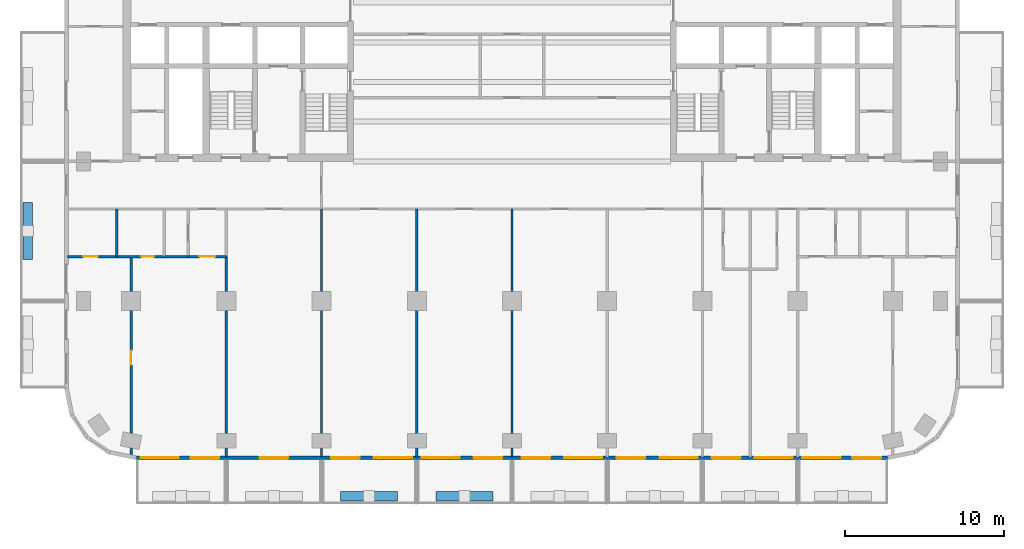
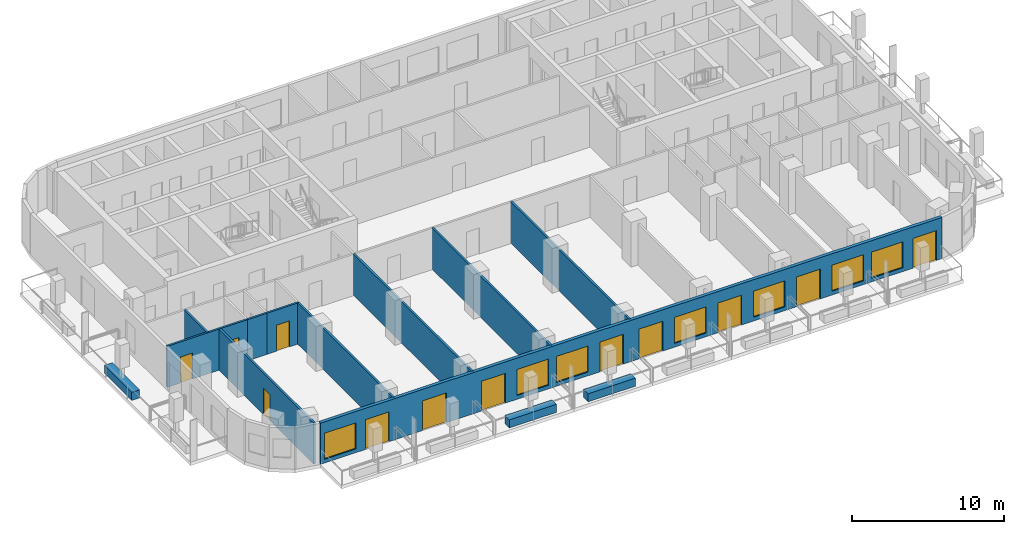
# One storey, part 2 of 12: 13 walls, 12 doors, 7 windows, 19 openings.
"""IFC4 building model written with IfcOpenShell, lengths in metres."""

from ifc_helpers import new_model, si_unit, direction, frame, frame_2d, origin, place, context, subcontext, project, spatial, rectangle, extrude, material, layer, layer_set, type_object, element, fill, save


model = new_model("IFC4")

# Units and contexts
model_context = context("Model", 3, precision=1e-05, world=origin(), true_north=direction((0.0, 1.0)))
body_context = subcontext(model_context, "Body", "Model", "MODEL_VIEW")
ifc_project = project(units=[si_unit("LENGTHUNIT", "METRE"), si_unit("AREAUNIT", "SQUARE_METRE"), si_unit("VOLUMEUNIT", "CUBIC_METRE"), si_unit("PLANEANGLEUNIT", "RADIAN"), si_unit("MASSUNIT", "GRAM", prefix="KILO")], contexts=[model_context])

# Site, building, storey
site_placement = place(None, origin())
site = spatial("IfcSite", under=ifc_project, at=site_placement, CompositionType="ELEMENT")
building_placement = place(site_placement, origin())
building = spatial("IfcBuilding", under=site, at=building_placement, Name="Torana Hotel and Residences", CompositionType="ELEMENT")
storey_placement = place(building_placement, frame((0.0, 0.0, 156.0)))
storey = spatial("IfcBuildingStorey", under=building, at=storey_placement, Name="L40", CompositionType="ELEMENT", Elevation=156.0)

# Wall, openings, doors, windows
ifc_material_1 = material(Name="Black aluminium composite panel", Category="aluminium")
ifc_layer_1 = layer(ifc_material_1, 0.00390625, Name="Cladding", Category="cladding")
ifc_material_2 = material(Name="Ventilated air cavity")
ifc_layer_2 = layer(ifc_material_2, 0.0400390625, Name="Ventilated cavity", Category="cavity")
ifc_material_3 = material(Name="Mineral wool insulation")
ifc_layer_3 = layer(ifc_material_3, 0.090087890625, Name="Insulation", Category="insulation")
ifc_material_4 = material(Name="Steel S280GD", Category="steel")
ifc_layer_4 = layer(ifc_material_4, 0.092041015625, Name="Steel stud frame", Category="structure")
ifc_material_5 = material(Name="Fire rated plasterboard")
ifc_layer_5 = layer(ifc_material_5, 0.011962890625, Name="Inner board", Category="finish")
ifc_layer_6 = layer(ifc_material_5, 0.011962890625, Name="Second board", Category="finish")
ifc_layer_set_1 = layer_set([ifc_layer_1, ifc_layer_2, ifc_layer_3, ifc_layer_4, ifc_layer_5, ifc_layer_6], Name="EW1 EXTERNAL WALL BLACK METAL CLAD 250")
wall_type_1 = type_object("IfcWallType", Name="EW1 EXTERNAL WALL BLACK METAL CLAD 250", PredefinedType="SOLIDWALL", material=ifc_layer_set_1)
wall_1_placement = place(storey_placement, frame((-23.67529296875, -33.675048828125, 0.0), z_axis=(0.0, 0.0, 1.0), x_axis=(1.0, 0.0, 0.0)))
wall_1 = element("IfcWall", 1, at=wall_1_placement, inside=storey, type_object=wall_type_1, Name="External wall L40 e0.14", PredefinedType="SOLIDWALL", context=body_context, shape_type="SweptSolid", body=[
    extrude(rectangle(XDim=47.3505859375, YDim=0.25, at=frame_2d((23.67529296875, 0.0))), origin(), (0.0, 0.0, 1.0), 3.320068359375),
])
opening_1_placement = place(wall_1_placement, frame((0.275390625, 0.0, 0.300048828125)))
opening_1 = element("IfcOpeningElement", 2, at=opening_1_placement, cuts=wall_1, Name="Opening W1", PredefinedType="OPENING", context=body_context, shape_type="SweptSolid", body=[
    extrude(rectangle(XDim=2.39990234375, YDim=2.10009765625, at=frame_2d((1.199951171875, 1.050048828125))), frame((0.0, 0.135009765625, 0.0), z_axis=(0.0, -1.0, 0.0), x_axis=(1.0, 0.0, 0.0)), (0.0, 0.0, 1.0), 0.27001953125),
])
opening_2_placement = place(wall_1_placement, frame((3.42529296875, 0.0, 0.0)))
opening_2 = element("IfcOpeningElement", 3, at=opening_2_placement, cuts=wall_1, Name="Opening L40-E01", PredefinedType="OPENING", context=body_context, shape_type="SweptSolid", body=[
    extrude(rectangle(XDim=1.800048828125, YDim=2.39990234375, at=frame_2d((0.89990234375, 1.199951171875))), frame((0.0, 0.135009765625, 0.0), z_axis=(0.0, -1.0, 0.0), x_axis=(1.0, 0.0, 0.0)), (0.0, 0.0, 1.0), 0.27001953125),
])
opening_3_placement = place(wall_1_placement, frame((7.775390625, 0.0, 0.0)))
opening_3 = element("IfcOpeningElement", 4, at=opening_3_placement, cuts=wall_1, Name="Opening L40-E02", PredefinedType="OPENING", context=body_context, shape_type="SweptSolid", body=[
    extrude(rectangle(XDim=1.800048828125, YDim=2.39990234375, at=frame_2d((0.89990234375, 1.199951171875))), frame((0.0, 0.135009765625, 0.0), z_axis=(0.0, -1.0, 0.0), x_axis=(1.0, 0.0, 0.0)), (0.0, 0.0, 1.0), 0.27001953125),
])
opening_4_placement = place(wall_1_placement, frame((12.275390625, 0.0, 0.0)))
opening_4 = element("IfcOpeningElement", 5, at=opening_4_placement, cuts=wall_1, Name="Opening L40-E03", PredefinedType="OPENING", context=body_context, shape_type="SweptSolid", body=[
    extrude(rectangle(XDim=1.800048828125, YDim=2.39990234375, at=frame_2d((0.89990234375, 1.199951171875))), frame((0.0, 0.135009765625, 0.0), z_axis=(0.0, -1.0, 0.0), x_axis=(1.0, 0.0, 0.0)), (0.0, 0.0, 1.0), 0.27001953125),
])
opening_5_placement = place(wall_1_placement, frame((14.975341796875, 0.0, 0.300048828125)))
opening_5 = element("IfcOpeningElement", 6, at=opening_5_placement, cuts=wall_1, Name="Opening W1", PredefinedType="OPENING", context=body_context, shape_type="SweptSolid", body=[
    extrude(rectangle(XDim=2.39990234375, YDim=2.10009765625, at=frame_2d((1.199951171875, 1.050048828125))), frame((0.0, 0.135009765625, 0.0), z_axis=(0.0, -1.0, 0.0), x_axis=(1.0, 0.0, 0.0)), (0.0, 0.0, 1.0), 0.27001953125),
])
opening_6_placement = place(wall_1_placement, frame((17.975341796875, 0.0, 0.300048828125)))
opening_6 = element("IfcOpeningElement", 7, at=opening_6_placement, cuts=wall_1, Name="Opening W1", PredefinedType="OPENING", context=body_context, shape_type="SweptSolid", body=[
    extrude(rectangle(XDim=2.39990234375, YDim=2.10009765625, at=frame_2d((1.199951171875, 1.050048828125))), frame((0.0, 0.135009765625, 0.0), z_axis=(0.0, -1.0, 0.0), x_axis=(1.0, 0.0, 0.0)), (0.0, 0.0, 1.0), 0.27001953125),
])
opening_7_placement = place(wall_1_placement, frame((21.275390625, 0.0, 0.0)))
opening_7 = element("IfcOpeningElement", 8, at=opening_7_placement, cuts=wall_1, Name="Opening L40-E04", PredefinedType="OPENING", context=body_context, shape_type="SweptSolid", body=[
    extrude(rectangle(XDim=1.800048828125, YDim=2.39990234375, at=frame_2d((0.89990234375, 1.199951171875))), frame((0.0, 0.135009765625, 0.0), z_axis=(0.0, -1.0, 0.0), x_axis=(1.0, 0.0, 0.0)), (0.0, 0.0, 1.0), 0.27001953125),
])
opening_8_placement = place(wall_1_placement, frame((24.275390625, 0.0, 0.0)))
opening_8 = element("IfcOpeningElement", 9, at=opening_8_placement, cuts=wall_1, Name="Opening L40-E05", PredefinedType="OPENING", context=body_context, shape_type="SweptSolid", body=[
    extrude(rectangle(XDim=1.800048828125, YDim=2.39990234375, at=frame_2d((0.89990234375, 1.199951171875))), frame((0.0, 0.135009765625, 0.0), z_axis=(0.0, -1.0, 0.0), x_axis=(1.0, 0.0, 0.0)), (0.0, 0.0, 1.0), 0.27001953125),
])
opening_9_placement = place(wall_1_placement, frame((26.975341796875, 0.0, 0.300048828125)))
opening_9 = element("IfcOpeningElement", 10, at=opening_9_placement, cuts=wall_1, Name="Opening W1", PredefinedType="OPENING", context=body_context, shape_type="SweptSolid", body=[
    extrude(rectangle(XDim=2.39990234375, YDim=2.10009765625, at=frame_2d((1.199951171875, 1.050048828125))), frame((0.0, 0.135009765625, 0.0), z_axis=(0.0, -1.0, 0.0), x_axis=(1.0, 0.0, 0.0)), (0.0, 0.0, 1.0), 0.27001953125),
])
opening_10_placement = place(wall_1_placement, frame((30.275390625, 0.0, 0.0)))
opening_10 = element("IfcOpeningElement", 11, at=opening_10_placement, cuts=wall_1, Name="Opening L40-E06", PredefinedType="OPENING", context=body_context, shape_type="SweptSolid", body=[
    extrude(rectangle(XDim=1.800048828125, YDim=2.39990234375, at=frame_2d((0.89990234375, 1.199951171875))), frame((0.0, 0.135009765625, 0.0), z_axis=(0.0, -1.0, 0.0), x_axis=(1.0, 0.0, 0.0)), (0.0, 0.0, 1.0), 0.27001953125),
])
opening_11_placement = place(wall_1_placement, frame((32.975341796875, 0.0, 0.300048828125)))
opening_11 = element("IfcOpeningElement", 12, at=opening_11_placement, cuts=wall_1, Name="Opening W1", PredefinedType="OPENING", context=body_context, shape_type="SweptSolid", body=[
    extrude(rectangle(XDim=2.39990234375, YDim=2.10009765625, at=frame_2d((1.199951171875, 1.050048828125))), frame((0.0, 0.135009765625, 0.0), z_axis=(0.0, -1.0, 0.0), x_axis=(1.0, 0.0, 0.0)), (0.0, 0.0, 1.0), 0.27001953125),
])
opening_12_placement = place(wall_1_placement, frame((36.275390625, 0.0, 0.0)))
opening_12 = element("IfcOpeningElement", 13, at=opening_12_placement, cuts=wall_1, Name="Opening L40-E07", PredefinedType="OPENING", context=body_context, shape_type="SweptSolid", body=[
    extrude(rectangle(XDim=1.800048828125, YDim=2.39990234375, at=frame_2d((0.89990234375, 1.199951171875))), frame((0.0, 0.135009765625, 0.0), z_axis=(0.0, -1.0, 0.0), x_axis=(1.0, 0.0, 0.0)), (0.0, 0.0, 1.0), 0.27001953125),
])
opening_13_placement = place(wall_1_placement, frame((38.975341796875, 0.0, 0.300048828125)))
opening_13 = element("IfcOpeningElement", 14, at=opening_13_placement, cuts=wall_1, Name="Opening W1", PredefinedType="OPENING", context=body_context, shape_type="SweptSolid", body=[
    extrude(rectangle(XDim=2.39990234375, YDim=2.10009765625, at=frame_2d((1.199951171875, 1.050048828125))), frame((0.0, 0.135009765625, 0.0), z_axis=(0.0, -1.0, 0.0), x_axis=(1.0, 0.0, 0.0)), (0.0, 0.0, 1.0), 0.27001953125),
])
opening_14_placement = place(wall_1_placement, frame((41.975341796875, 0.0, 0.300048828125)))
opening_14 = element("IfcOpeningElement", 15, at=opening_14_placement, cuts=wall_1, Name="Opening W1", PredefinedType="OPENING", context=body_context, shape_type="SweptSolid", body=[
    extrude(rectangle(XDim=2.39990234375, YDim=2.10009765625, at=frame_2d((1.199951171875, 1.050048828125))), frame((0.0, 0.135009765625, 0.0), z_axis=(0.0, -1.0, 0.0), x_axis=(1.0, 0.0, 0.0)), (0.0, 0.0, 1.0), 0.27001953125),
])
opening_15_placement = place(wall_1_placement, frame((45.12548828125, 0.0, 0.0)))
opening_15 = element("IfcOpeningElement", 16, at=opening_15_placement, cuts=wall_1, Name="Opening L40-E08", PredefinedType="OPENING", context=body_context, shape_type="SweptSolid", body=[
    extrude(rectangle(XDim=1.800048828125, YDim=2.39990234375, at=frame_2d((0.89990234375, 1.199951171875))), frame((0.0, 0.135009765625, 0.0), z_axis=(0.0, -1.0, 0.0), x_axis=(1.0, 0.0, 0.0)), (0.0, 0.0, 1.0), 0.27001953125),
])
ifc_material_6 = material(Name="Dark glass in black aluminium frame", Category="aluminium")
door_type_1 = type_object("IfcDoorType", Name="DB1 BALCONY DOOR 1800x2400", OperationType="DOUBLE_DOOR_SINGLE_SWING", PredefinedType="DOOR", material=ifc_material_6)
door_1_placement = place(opening_2_placement, frame((0.89990234375, 0.0, 0.0), z_axis=(0.0, 0.0, 1.0), x_axis=(-1.0, 0.0, 0.0)))
door_1 = element("IfcDoor", 17, at=door_1_placement, inside=storey, type_object=door_type_1, Name="Balcony door L40", OperationType="DOUBLE_DOOR_SINGLE_SWING", OverallHeight=2.39990234375, OverallWidth=1.800048828125, PredefinedType="DOOR", context=body_context, shape_type="SweptSolid", body=[
    extrude(rectangle(XDim=1.800048828125, YDim=2.39990234375, at=frame_2d((0.0, 1.199951171875))), frame((0.0, -0.02490234375, 0.0), z_axis=(0.0, 1.0, 0.0), x_axis=(-1.0, 0.0, 0.0)), (0.0, 0.0, 1.0), 0.050048828125),
])
fill(opening_2, door_1)
door_2_placement = place(opening_3_placement, origin())
door_2 = element("IfcDoor", 18, at=door_2_placement, inside=storey, type_object=door_type_1, Name="Balcony door L40", OperationType="DOUBLE_DOOR_SINGLE_SWING", OverallHeight=2.39990234375, OverallWidth=1.800048828125, PredefinedType="DOOR", context=body_context, shape_type="SweptSolid", body=[
    extrude(rectangle(XDim=1.800048828125, YDim=2.39990234375, at=frame_2d((0.89990234375, 1.199951171875))), frame((0.0, 0.02490234375, 0.0), z_axis=(0.0, -1.0, 0.0), x_axis=(1.0, 0.0, 0.0)), (0.0, 0.0, 1.0), 0.050048828125),
])
fill(opening_3, door_2)
door_3_placement = place(opening_4_placement, origin())
door_3 = element("IfcDoor", 19, at=door_3_placement, inside=storey, type_object=door_type_1, Name="Balcony door L40", OperationType="DOUBLE_DOOR_SINGLE_SWING", OverallHeight=2.39990234375, OverallWidth=1.800048828125, PredefinedType="DOOR", context=body_context, shape_type="SweptSolid", body=[
    extrude(rectangle(XDim=1.800048828125, YDim=2.39990234375, at=frame_2d((0.89990234375, 1.199951171875))), frame((0.0, 0.02490234375, 0.0), z_axis=(0.0, -1.0, 0.0), x_axis=(1.0, 0.0, 0.0)), (0.0, 0.0, 1.0), 0.050048828125),
])
fill(opening_4, door_3)
door_4_placement = place(opening_7_placement, origin())
door_4 = element("IfcDoor", 20, at=door_4_placement, inside=storey, type_object=door_type_1, Name="Balcony door L40", OperationType="DOUBLE_DOOR_SINGLE_SWING", OverallHeight=2.39990234375, OverallWidth=1.800048828125, PredefinedType="DOOR", context=body_context, shape_type="SweptSolid", body=[
    extrude(rectangle(XDim=1.800048828125, YDim=2.39990234375, at=frame_2d((0.89990234375, 1.199951171875))), frame((0.0, 0.02490234375, 0.0), z_axis=(0.0, -1.0, 0.0), x_axis=(1.0, 0.0, 0.0)), (0.0, 0.0, 1.0), 0.050048828125),
])
fill(opening_7, door_4)
door_5_placement = place(opening_8_placement, origin())
door_5 = element("IfcDoor", 21, at=door_5_placement, inside=storey, type_object=door_type_1, Name="Balcony door L40", OperationType="DOUBLE_DOOR_SINGLE_SWING", OverallHeight=2.39990234375, OverallWidth=1.800048828125, PredefinedType="DOOR", context=body_context, shape_type="SweptSolid", body=[
    extrude(rectangle(XDim=1.800048828125, YDim=2.39990234375, at=frame_2d((0.89990234375, 1.199951171875))), frame((0.0, 0.02490234375, 0.0), z_axis=(0.0, -1.0, 0.0), x_axis=(1.0, 0.0, 0.0)), (0.0, 0.0, 1.0), 0.050048828125),
])
fill(opening_8, door_5)
door_6_placement = place(opening_10_placement, origin())
door_6 = element("IfcDoor", 22, at=door_6_placement, inside=storey, type_object=door_type_1, Name="Balcony door L40", OperationType="DOUBLE_DOOR_SINGLE_SWING", OverallHeight=2.39990234375, OverallWidth=1.800048828125, PredefinedType="DOOR", context=body_context, shape_type="SweptSolid", body=[
    extrude(rectangle(XDim=1.800048828125, YDim=2.39990234375, at=frame_2d((0.89990234375, 1.199951171875))), frame((0.0, 0.02490234375, 0.0), z_axis=(0.0, -1.0, 0.0), x_axis=(1.0, 0.0, 0.0)), (0.0, 0.0, 1.0), 0.050048828125),
])
fill(opening_10, door_6)
door_7_placement = place(opening_12_placement, origin())
door_7 = element("IfcDoor", 23, at=door_7_placement, inside=storey, type_object=door_type_1, Name="Balcony door L40", OperationType="DOUBLE_DOOR_SINGLE_SWING", OverallHeight=2.39990234375, OverallWidth=1.800048828125, PredefinedType="DOOR", context=body_context, shape_type="SweptSolid", body=[
    extrude(rectangle(XDim=1.800048828125, YDim=2.39990234375, at=frame_2d((0.89990234375, 1.199951171875))), frame((0.0, 0.02490234375, 0.0), z_axis=(0.0, -1.0, 0.0), x_axis=(1.0, 0.0, 0.0)), (0.0, 0.0, 1.0), 0.050048828125),
])
fill(opening_12, door_7)
door_8_placement = place(opening_15_placement, origin())
door_8 = element("IfcDoor", 24, at=door_8_placement, inside=storey, type_object=door_type_1, Name="Balcony door L40", OperationType="DOUBLE_DOOR_SINGLE_SWING", OverallHeight=2.39990234375, OverallWidth=1.800048828125, PredefinedType="DOOR", context=body_context, shape_type="SweptSolid", body=[
    extrude(rectangle(XDim=1.800048828125, YDim=2.39990234375, at=frame_2d((0.89990234375, 1.199951171875))), frame((0.0, 0.02490234375, 0.0), z_axis=(0.0, -1.0, 0.0), x_axis=(1.0, 0.0, 0.0)), (0.0, 0.0, 1.0), 0.050048828125),
])
fill(opening_15, door_8)
ifc_material_7 = material(Name="Dark glass in black aluminium frame", Category="aluminium")
window_type = type_object("IfcWindowType", Name="W1 HOTEL ROOM WINDOW 2400x2100", PartitioningType="SINGLE_PANEL", PredefinedType="WINDOW", material=ifc_material_7)
window_1_placement = place(opening_1_placement, origin())
window_1 = element("IfcWindow", 25, at=window_1_placement, inside=storey, type_object=window_type, Name="Window L40", OverallHeight=2.10009765625, OverallWidth=2.39990234375, PartitioningType="SINGLE_PANEL", PredefinedType="WINDOW", context=body_context, shape_type="SweptSolid", body=[
    extrude(rectangle(XDim=2.39990234375, YDim=2.10009765625, at=frame_2d((1.199951171875, 1.050048828125))), frame((0.0, 0.030029296875, 0.0), z_axis=(0.0, -1.0, 0.0), x_axis=(1.0, 0.0, 0.0)), (0.0, 0.0, 1.0), 0.06005859375),
])
fill(opening_1, window_1)
window_2_placement = place(opening_5_placement, origin())
window_2 = element("IfcWindow", 26, at=window_2_placement, inside=storey, type_object=window_type, Name="Window L40", OverallHeight=2.10009765625, OverallWidth=2.39990234375, PartitioningType="SINGLE_PANEL", PredefinedType="WINDOW", context=body_context, shape_type="SweptSolid", body=[
    extrude(rectangle(XDim=2.39990234375, YDim=2.10009765625, at=frame_2d((1.199951171875, 1.050048828125))), frame((0.0, 0.030029296875, 0.0), z_axis=(0.0, -1.0, 0.0), x_axis=(1.0, 0.0, 0.0)), (0.0, 0.0, 1.0), 0.06005859375),
])
fill(opening_5, window_2)
window_3_placement = place(opening_6_placement, origin())
window_3 = element("IfcWindow", 27, at=window_3_placement, inside=storey, type_object=window_type, Name="Window L40", OverallHeight=2.10009765625, OverallWidth=2.39990234375, PartitioningType="SINGLE_PANEL", PredefinedType="WINDOW", context=body_context, shape_type="SweptSolid", body=[
    extrude(rectangle(XDim=2.39990234375, YDim=2.10009765625, at=frame_2d((1.199951171875, 1.050048828125))), frame((0.0, 0.030029296875, 0.0), z_axis=(0.0, -1.0, 0.0), x_axis=(1.0, 0.0, 0.0)), (0.0, 0.0, 1.0), 0.06005859375),
])
fill(opening_6, window_3)
window_4_placement = place(opening_9_placement, origin())
window_4 = element("IfcWindow", 28, at=window_4_placement, inside=storey, type_object=window_type, Name="Window L40", OverallHeight=2.10009765625, OverallWidth=2.39990234375, PartitioningType="SINGLE_PANEL", PredefinedType="WINDOW", context=body_context, shape_type="SweptSolid", body=[
    extrude(rectangle(XDim=2.39990234375, YDim=2.10009765625, at=frame_2d((1.199951171875, 1.050048828125))), frame((0.0, 0.030029296875, 0.0), z_axis=(0.0, -1.0, 0.0), x_axis=(1.0, 0.0, 0.0)), (0.0, 0.0, 1.0), 0.06005859375),
])
fill(opening_9, window_4)
window_5_placement = place(opening_11_placement, origin())
window_5 = element("IfcWindow", 29, at=window_5_placement, inside=storey, type_object=window_type, Name="Window L40", OverallHeight=2.10009765625, OverallWidth=2.39990234375, PartitioningType="SINGLE_PANEL", PredefinedType="WINDOW", context=body_context, shape_type="SweptSolid", body=[
    extrude(rectangle(XDim=2.39990234375, YDim=2.10009765625, at=frame_2d((1.199951171875, 1.050048828125))), frame((0.0, 0.030029296875, 0.0), z_axis=(0.0, -1.0, 0.0), x_axis=(1.0, 0.0, 0.0)), (0.0, 0.0, 1.0), 0.06005859375),
])
fill(opening_11, window_5)
window_6_placement = place(opening_13_placement, origin())
window_6 = element("IfcWindow", 30, at=window_6_placement, inside=storey, type_object=window_type, Name="Window L40", OverallHeight=2.10009765625, OverallWidth=2.39990234375, PartitioningType="SINGLE_PANEL", PredefinedType="WINDOW", context=body_context, shape_type="SweptSolid", body=[
    extrude(rectangle(XDim=2.39990234375, YDim=2.10009765625, at=frame_2d((1.199951171875, 1.050048828125))), frame((0.0, 0.030029296875, 0.0), z_axis=(0.0, -1.0, 0.0), x_axis=(1.0, 0.0, 0.0)), (0.0, 0.0, 1.0), 0.06005859375),
])
fill(opening_13, window_6)
window_7_placement = place(opening_14_placement, origin())
window_7 = element("IfcWindow", 31, at=window_7_placement, inside=storey, type_object=window_type, Name="Window L40", OverallHeight=2.10009765625, OverallWidth=2.39990234375, PartitioningType="SINGLE_PANEL", PredefinedType="WINDOW", context=body_context, shape_type="SweptSolid", body=[
    extrude(rectangle(XDim=2.39990234375, YDim=2.10009765625, at=frame_2d((1.199951171875, 1.050048828125))), frame((0.0, 0.030029296875, 0.0), z_axis=(0.0, -1.0, 0.0), x_axis=(1.0, 0.0, 0.0)), (0.0, 0.0, 1.0), 0.06005859375),
])
fill(opening_14, window_7)

# Wall, opening, door
ifc_material_8 = material(Name="Gypsum plaster")
ifc_layer_7 = layer(ifc_material_8, 0.014892578125, Name="Plaster", Category="finish")
ifc_material_9 = material(Name="Concrete blockwork", Category="masonry")
ifc_layer_8 = layer(ifc_material_9, 0.1201171875, Name="Blockwork", Category="structure")
ifc_layer_9 = layer(ifc_material_8, 0.014892578125, Name="Plaster", Category="finish")
ifc_layer_set_2 = layer_set([ifc_layer_7, ifc_layer_8, ifc_layer_9], Name="FIRE PARTITION 150 BLOCKWORK")
wall_type_2 = type_object("IfcWallType", Name="FIRE PARTITION 150 BLOCKWORK", PredefinedType="PARTITIONING", material=ifc_layer_set_2)
wall_2_placement = place(storey_placement, frame((-20.39990234375, -21.0, 0.0), z_axis=(0.0, 0.0, 1.0), x_axis=(1.0, 0.0, 0.0)))
wall_2 = element("IfcWall", 32, at=wall_2_placement, inside=storey, type_object=wall_type_2, Name="Partition L40", PredefinedType="PARTITIONING", context=body_context, shape_type="SweptSolid", body=[
    extrude(rectangle(XDim=2.39990234375, YDim=0.14990234375, at=frame_2d((1.199951171875, 0.0))), origin(), (0.0, 0.0, 1.0), 3.320068359375),
])
opening_16_placement = place(wall_2_placement, frame((0.699951171875, 0.0, 0.0)))
opening_16 = element("IfcOpeningElement", 33, at=opening_16_placement, cuts=wall_2, Name="Opening L40-57", PredefinedType="OPENING", context=body_context, shape_type="SweptSolid", body=[
    extrude(rectangle(XDim=1.0, YDim=2.10009765625, at=frame_2d((0.5, 1.050048828125))), frame((0.0, 0.0849609375, 0.0), z_axis=(0.0, -1.0, 0.0), x_axis=(1.0, 0.0, 0.0)), (0.0, 0.0, 1.0), 0.169921875),
])
ifc_material_10 = material(Name="Steel S235", Category="steel")
door_type_2 = type_object("IfcDoorType", Name="ENTRY FIRE DOOR D6 1000x2100", OperationType="SINGLE_SWING_LEFT", PredefinedType="DOOR", material=ifc_material_10)
door_9_placement = place(opening_16_placement, frame((0.5, 0.0, 0.0), z_axis=(0.0, 0.0, 1.0), x_axis=(-1.0, 0.0, 0.0)))
door_9 = element("IfcDoor", 34, at=door_9_placement, inside=storey, type_object=door_type_2, Name="Door L40", OperationType="SINGLE_SWING_RIGHT", OverallHeight=2.10009765625, OverallWidth=1.0, PredefinedType="DOOR", context=body_context, shape_type="SweptSolid", body=[
    extrude(rectangle(XDim=1.0, YDim=2.10009765625, at=frame_2d((0.0, 1.050048828125))), frame((0.0, -0.02490234375, 0.0), z_axis=(0.0, 1.0, 0.0), x_axis=(-1.0, 0.0, 0.0)), (0.0, 0.0, 1.0), 0.050048828125),
])
fill(opening_16, door_9)

# Walls
ifc_material_11 = material(Name="Gypsum plasterboard")
ifc_layer_10 = layer(ifc_material_11, 0.012451171875, Name="Plasterboard", Category="finish")
ifc_layer_11 = layer(ifc_material_11, 0.012451171875, Name="Plasterboard", Category="finish")
ifc_layer_12 = layer(ifc_material_4, 0.10009765625, Name="Steel studs with mineral wool", Category="insulation")
ifc_layer_13 = layer(ifc_material_11, 0.012451171875, Name="Plasterboard", Category="finish")
ifc_layer_14 = layer(ifc_material_11, 0.012451171875, Name="Plasterboard", Category="finish")
ifc_layer_set_3 = layer_set([ifc_layer_10, ifc_layer_11, ifc_layer_12, ifc_layer_13, ifc_layer_14], Name="PARTITION 150 PLASTERBOARD")
wall_type_3 = type_object("IfcWallType", Name="PARTITION 150 PLASTERBOARD", PredefinedType="PARTITIONING", material=ifc_layer_set_3)
for number, where, z_axis, x_axis, name in (
    (35, (0.0, -33.6201171875, 0.0), (0.0, 0.0, 1.0), (0.0, 1.0, 0.0), "Partition L40"),
    (36, (-6.0, -33.6201171875, 0.0), (0.0, 0.0, 1.0), (0.0, 1.0, 0.0), "Partition L40"),
    (37, (-12.0, -33.6201171875, 0.0), (0.0, 0.0, 1.0), (0.0, 1.0, 0.0), "Partition L40"),
):
    element("IfcWall", number, at=place(storey_placement, frame(where, z_axis=z_axis, x_axis=x_axis)), inside=storey, type_object=wall_type_3, Name=name, PredefinedType="PARTITIONING", context=body_context, shape_type="SweptSolid", body=[
        extrude(rectangle(XDim=15.6201171875, YDim=0.14990234375, at=frame_2d((7.81005859375, 0.0))), origin(), (0.0, 0.0, 1.0), 3.320068359375),
    ])
wall_3_placement = place(storey_placement, frame((-18.0, -33.6201171875, 0.0), z_axis=(0.0, 0.0, 1.0), x_axis=(0.0, 1.0, 0.0)))
element("IfcWall", 38, at=wall_3_placement, inside=storey, type_object=wall_type_3, Name="Partition L40", PredefinedType="PARTITIONING", context=body_context, shape_type="SweptSolid", body=[
    extrude(rectangle(XDim=12.6201171875, YDim=0.14990234375, at=frame_2d((6.31005859375, 0.0))), origin(), (0.0, 0.0, 1.0), 3.320068359375),
])

# Wall, opening, door
wall_4_placement = place(storey_placement, frame((-24.0, -33.556884765625, 0.0), z_axis=(0.0, 0.0, 1.0), x_axis=(0.0, 1.0, 0.0)))
wall_4 = element("IfcWall", 39, at=wall_4_placement, inside=storey, type_object=wall_type_3, Name="Partition L40", PredefinedType="PARTITIONING", context=body_context, shape_type="SweptSolid", body=[
    extrude(rectangle(XDim=12.556884765625, YDim=0.14990234375, at=frame_2d((6.2783203125, 0.0))), origin(), (0.0, 0.0, 1.0), 3.320068359375),
])
opening_17_placement = place(wall_4_placement, frame((5.73681640625, 0.0, 0.0)))
opening_17 = element("IfcOpeningElement", 40, at=opening_17_placement, cuts=wall_4, Name="Opening L40-60", PredefinedType="OPENING", context=body_context, shape_type="SweptSolid", body=[
    extrude(rectangle(XDim=0.89990234375, YDim=2.10009765625, at=frame_2d((0.449951171875, 1.050048828125))), frame((0.0, 0.0849609375, 0.0), z_axis=(0.0, -1.0, 0.0), x_axis=(1.0, 0.0, 0.0)), (0.0, 0.0, 1.0), 0.169921875),
])
ifc_material_12 = material(Name="Timber door, oiled ash", Category="wood")
door_type_3 = type_object("IfcDoorType", Name="ROOM DOOR D7 900x2100", OperationType="SINGLE_SWING_LEFT", PredefinedType="DOOR", material=ifc_material_12)
door_10_placement = place(opening_17_placement, origin())
door_10 = element("IfcDoor", 41, at=door_10_placement, inside=storey, type_object=door_type_3, Name="Door L40", OperationType="SINGLE_SWING_RIGHT", OverallHeight=2.10009765625, OverallWidth=0.89990234375, PredefinedType="DOOR", context=body_context, shape_type="SweptSolid", body=[
    extrude(rectangle(XDim=0.89990234375, YDim=2.10009765625, at=frame_2d((0.449951171875, 1.050048828125))), frame((0.0, 0.02490234375, 0.0), z_axis=(0.0, -1.0, 0.0), x_axis=(1.0, 0.0, 0.0)), (0.0, 0.0, 1.0), 0.050048828125),
])
fill(opening_17, door_10)

# Wall
wall_5_placement = place(storey_placement, frame((-24.89990234375, -21.0, 0.0), z_axis=(0.0, 0.0, 1.0), x_axis=(0.0, 1.0, 0.0)))
element("IfcWall", 42, at=wall_5_placement, inside=storey, type_object=wall_type_3, Name="Partition L40", PredefinedType="PARTITIONING", context=body_context, shape_type="SweptSolid", body=[
    extrude(rectangle(XDim=3.0, YDim=0.14990234375, at=frame_2d((1.5, 0.0))), origin(), (0.0, 0.0, 1.0), 3.320068359375),
])

# Wall, openings, doors
wall_6_placement = place(storey_placement, frame((-28.02001953125, -21.0, 0.0), z_axis=(0.0, 0.0, 1.0), x_axis=(1.0, 0.0, 0.0)))
wall_6 = element("IfcWall", 43, at=wall_6_placement, inside=storey, type_object=wall_type_3, Name="Partition L40", PredefinedType="PARTITIONING", context=body_context, shape_type="SweptSolid", body=[
    extrude(rectangle(XDim=6.1201171875, YDim=0.14990234375, at=frame_2d((3.06005859375, 0.0))), origin(), (0.0, 0.0, 1.0), 3.320068359375),
])
opening_18_placement = place(wall_6_placement, frame((4.669921875, 0.0, 0.0)))
opening_18 = element("IfcOpeningElement", 44, at=opening_18_placement, cuts=wall_6, Name="Opening L40-58", PredefinedType="OPENING", context=body_context, shape_type="SweptSolid", body=[
    extrude(rectangle(XDim=0.800048828125, YDim=2.10009765625, at=frame_2d((0.39990234375, 1.050048828125))), frame((0.0, 0.0849609375, 0.0), z_axis=(0.0, -1.0, 0.0), x_axis=(1.0, 0.0, 0.0)), (0.0, 0.0, 1.0), 0.169921875),
])
opening_19_placement = place(wall_6_placement, frame((1.02001953125, 0.0, 0.0)))
opening_19 = element("IfcOpeningElement", 45, at=opening_19_placement, cuts=wall_6, Name="Opening L40-59", PredefinedType="OPENING", context=body_context, shape_type="SweptSolid", body=[
    extrude(rectangle(XDim=0.89990234375, YDim=2.10009765625, at=frame_2d((0.449951171875, 1.050048828125))), frame((0.0, 0.0849609375, 0.0), z_axis=(0.0, -1.0, 0.0), x_axis=(1.0, 0.0, 0.0)), (0.0, 0.0, 1.0), 0.169921875),
])
ifc_material_13 = material(Name="Timber door, painted", Category="wood")
door_type_4 = type_object("IfcDoorType", Name="BATH DOOR D13 800x2100", OperationType="SINGLE_SWING_LEFT", PredefinedType="DOOR", material=ifc_material_13)
door_11_placement = place(opening_18_placement, origin())
door_11 = element("IfcDoor", 46, at=door_11_placement, inside=storey, type_object=door_type_4, Name="Door L40", OperationType="SINGLE_SWING_LEFT", OverallHeight=2.10009765625, OverallWidth=0.800048828125, PredefinedType="DOOR", context=body_context, shape_type="SweptSolid", body=[
    extrude(rectangle(XDim=0.800048828125, YDim=2.10009765625, at=frame_2d((0.39990234375, 1.050048828125))), frame((0.0, 0.02490234375, 0.0), z_axis=(0.0, -1.0, 0.0), x_axis=(1.0, 0.0, 0.0)), (0.0, 0.0, 1.0), 0.050048828125),
])
fill(opening_18, door_11)
door_12_placement = place(opening_19_placement, origin())
door_12 = element("IfcDoor", 47, at=door_12_placement, inside=storey, type_object=door_type_3, Name="Door L40", OperationType="SINGLE_SWING_RIGHT", OverallHeight=2.10009765625, OverallWidth=0.89990234375, PredefinedType="DOOR", context=body_context, shape_type="SweptSolid", body=[
    extrude(rectangle(XDim=0.89990234375, YDim=2.10009765625, at=frame_2d((0.449951171875, 1.050048828125))), frame((0.0, 0.02490234375, 0.0), z_axis=(0.0, -1.0, 0.0), x_axis=(1.0, 0.0, 0.0)), (0.0, 0.0, 1.0), 0.050048828125),
])
fill(opening_19, door_12)

# Walls
ifc_material_14 = material(Name="Concrete C40/50 precast", Category="concrete")
ifc_layer_15 = layer(ifc_material_14, 0.10009765625, Name="Planter shell", Category="structure")
ifc_material_15 = material(Name="Root resistant membrane")
ifc_layer_16 = layer(ifc_material_15, 0.00390625, Name="Waterproofing membrane", Category="membrane")
ifc_material_16 = material(Name="Drainage board with filter fleece")
ifc_layer_17 = layer(ifc_material_16, 0.02001953125, Name="Drainage board", Category="drainage")
ifc_material_17 = material(Name="Growing medium")
ifc_layer_18 = layer(ifc_material_17, 0.47607421875, Name="Planting substrate", Category="soil")
ifc_layer_set_4 = layer_set([ifc_layer_15, ifc_layer_16, ifc_layer_17, ifc_layer_18], Name="PL1 BALCONY PLANTER 600")
wall_type_4 = type_object("IfcWallType", Name="PL1 BALCONY PLANTER 600", PredefinedType="USERDEFINED", material=ifc_layer_set_4)
for number, where, z_axis, x_axis, name in (
    (48, (-7.199951171875, -36.10009765625, 0.0), (0.0, 0.0, 1.0), (-1.0, 0.0, 0.0), "Planter 03"),
    (49, (-1.199951171875, -36.10009765625, 0.0), (0.0, 0.0, 1.0), (-1.0, 0.0, 0.0), "Planter 04"),
):
    element("IfcWall", number, at=place(storey_placement, frame(where, z_axis=z_axis, x_axis=x_axis)), inside=storey, type_object=wall_type_4, Name=name, ObjectType="PLANTER", PredefinedType="USERDEFINED", context=body_context, shape_type="SweptSolid", body=[
        extrude(rectangle(XDim=3.60009765625, YDim=0.60009765625, at=frame_2d((1.800048828125, 0.0))), origin(), (0.0, 0.0, 1.0), 0.64990234375),
    ])
wall_7_placement = place(storey_placement, frame((-30.5, -21.199951171875, 0.0), z_axis=(0.0, 0.0, 1.0), x_axis=(0.0, 1.0, 0.0)))
element("IfcWall", 50, at=wall_7_placement, inside=storey, type_object=wall_type_4, Name="Planter 10", ObjectType="PLANTER", PredefinedType="USERDEFINED", context=body_context, shape_type="SweptSolid", body=[
    extrude(rectangle(XDim=3.599853515625, YDim=0.60009765625, at=frame_2d((1.7998046875, 0.0))), origin(), (0.0, 0.0, 1.0), 0.64990234375),
])
ifc_material_18 = material(Name="Ceramic tile on adhesive")
ifc_layer_19 = layer(ifc_material_18, 0.010009765625, Name="Wall tile", Category="finish")
ifc_material_19 = material(Name="Cement render")
ifc_layer_20 = layer(ifc_material_19, 0.010009765625, Name="Render", Category="finish")
ifc_layer_21 = layer(ifc_material_9, 0.110107421875, Name="Blockwork", Category="structure")
ifc_layer_22 = layer(ifc_material_19, 0.010009765625, Name="Render", Category="finish")
ifc_layer_23 = layer(ifc_material_18, 0.010009765625, Name="Wall tile", Category="finish")
ifc_layer_set_5 = layer_set([ifc_layer_19, ifc_layer_20, ifc_layer_21, ifc_layer_22, ifc_layer_23], Name="WC PARTITION 150")
wall_type_5 = type_object("IfcWallType", Name="WC PARTITION 150", PredefinedType="PLUMBINGWALL", material=ifc_layer_set_5)
wall_8_placement = place(storey_placement, frame((-21.89990234375, -21.0, 0.0), z_axis=(0.0, 0.0, 1.0), x_axis=(1.0, 0.0, 0.0)))
element("IfcWall", 51, at=wall_8_placement, inside=storey, type_object=wall_type_5, Name="Partition L40", PredefinedType="PLUMBINGWALL", context=body_context, shape_type="SweptSolid", body=[
    extrude(rectangle(XDim=1.5, YDim=0.14990234375, at=frame_2d((0.75, 0.0))), origin(), (0.0, 0.0, 1.0), 3.320068359375),
])

save(model, "model.ifc")
